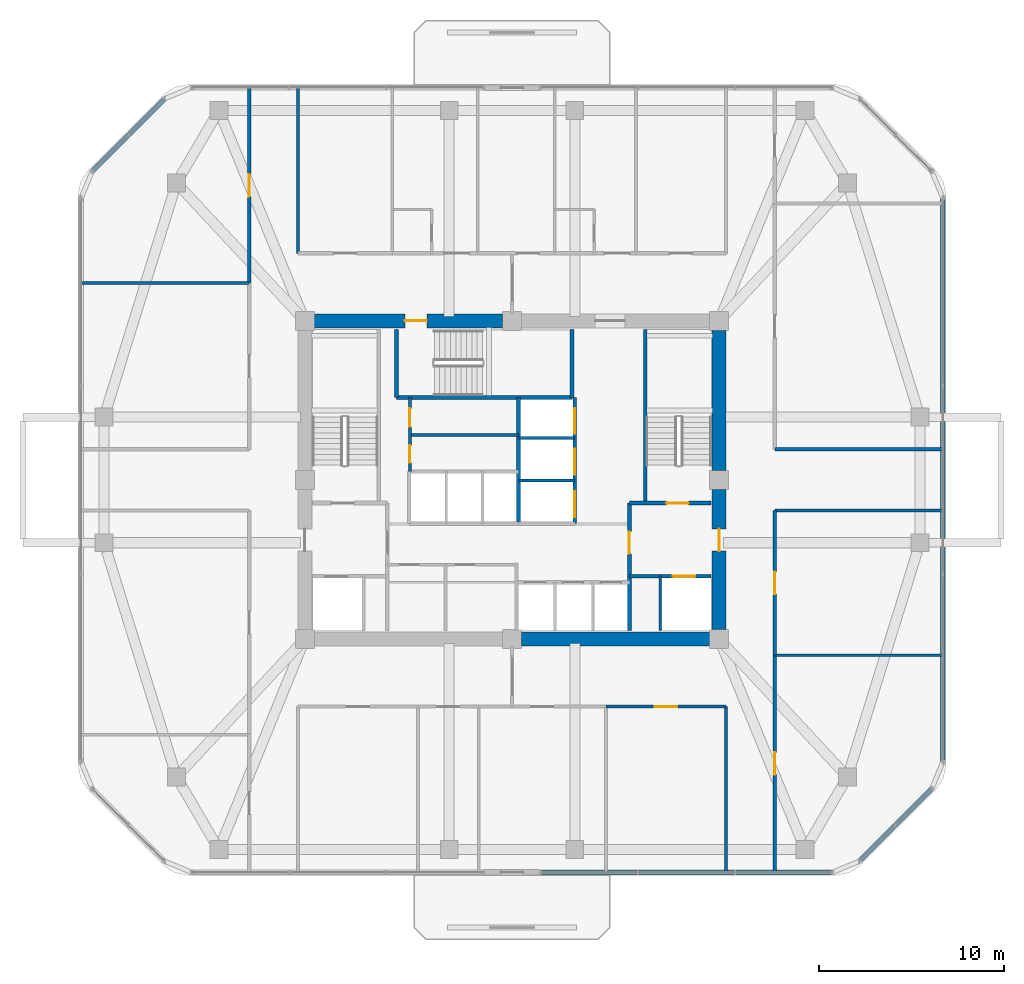
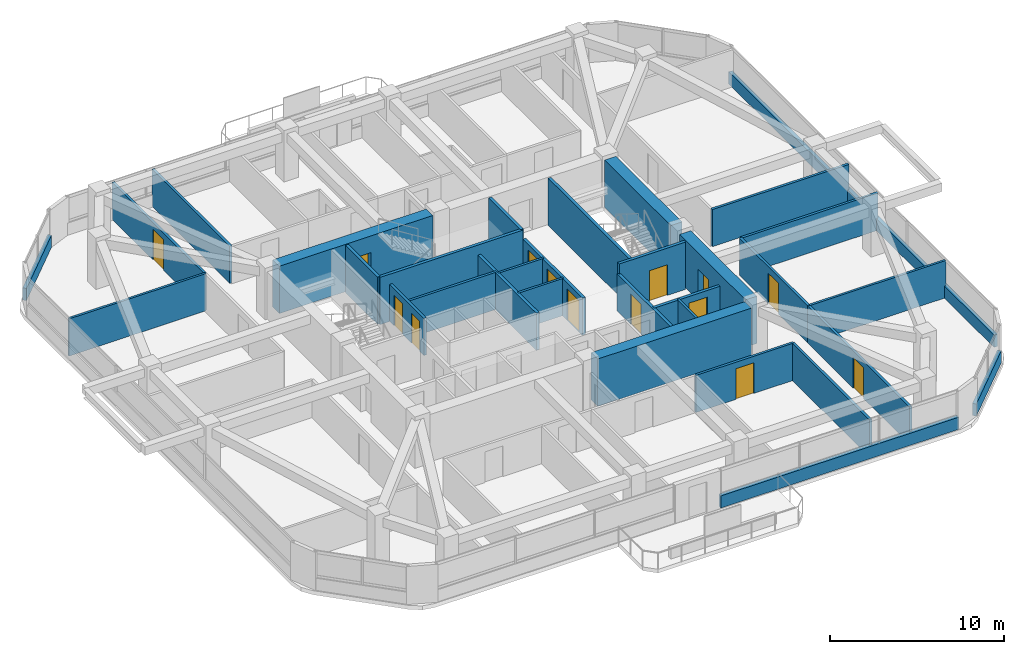
# One storey, part 8 of 12: 32 walls, 14 doors, 14 openings.
"""IFC4 building model written with IfcOpenShell, lengths in metres."""

from ifc_helpers import new_model, si_unit, derived_unit, direction, frame, frame_2d, origin, place, context, subcontext, project, spatial, rectangle, extrude, material, layer, layer_set, type_object, element, fill, save


model = new_model("IFC4")

# Units and contexts
model_context = context("Model", 3, precision=1e-05, world=origin(), true_north=direction((0.0, 1.0)))
body_context = subcontext(model_context, "Body", "Model", "MODEL_VIEW")
ifc_project = project(units=[si_unit("LENGTHUNIT", "METRE"), si_unit("AREAUNIT", "SQUARE_METRE"), si_unit("VOLUMEUNIT", "CUBIC_METRE"), si_unit("PLANEANGLEUNIT", "RADIAN"), si_unit("MASSUNIT", "GRAM", prefix="KILO"), derived_unit("THERMALTRANSMITTANCEUNIT", [(si_unit("POWERUNIT", "WATT"), 1), (si_unit("LENGTHUNIT", "METRE"), -2), (si_unit("THERMODYNAMICTEMPERATUREUNIT", "KELVIN"), -1)])], contexts=[model_context])

# Site, building, storey
site_placement = place(None, origin())
site = spatial("IfcSite", under=ifc_project, at=site_placement, CompositionType="ELEMENT")
building_placement = place(site_placement, origin())
building = spatial("IfcBuilding", under=site, at=building_placement, Name="Koralith Skygarden Medical Center", CompositionType="ELEMENT")
storey_placement = place(building_placement, frame((0.0, 0.0, 138.419921875)))
storey = spatial("IfcBuildingStorey", under=building, at=storey_placement, Name="L35", CompositionType="ELEMENT", Elevation=138.419921875)

# Walls
ifc_material_1 = material(Name="Gypsum Board Partition")
ifc_layer_1 = layer(ifc_material_1, 0.14990234375)
ifc_layer_set_1 = layer_set([ifc_layer_1], Name="Gypsum Board Partition")
wall_type_1 = type_object("IfcWallType", Name="Clinical Acoustic Partition 150", PredefinedType="PARTITIONING", material=ifc_layer_set_1)
for number, where, z_axis, x_axis, name in (
    (1, (22.7900390625, 36.548095703125, 0.0), (0.0, 0.0, 1.0), (-1.0, 0.0, 0.0), "L35 Clinical Acoustic Partition 150 W-PART-L35-WN-01"),
    (2, (51.2099609375, 16.424072265625, 0.0), (0.0, 0.0, 1.0), (1.0, 0.0, 0.0), "L35 Clinical Acoustic Partition 150 W-PART-L35-ES-01"),
):
    element("IfcWall", number, at=place(storey_placement, frame(where, z_axis=z_axis, x_axis=x_axis)), inside=storey, type_object=wall_type_1, Name=name, PredefinedType="PARTITIONING", context=body_context, shape_type="SweptSolid", body=[
        extrude(rectangle(XDim=9.073974609375, YDim=0.14990234375, at=frame_2d((4.537109375, 0.0))), origin(), (0.0, 0.0, 1.0), 2.610107421875),
    ])
ifc_layer_2 = layer(ifc_material_1, 0.1650390625)
ifc_layer_set_2 = layer_set([ifc_layer_2], Name="Gypsum Board Partition")
wall_type_2 = type_object("IfcWallType", Name="Clinical Corridor Partition 165", PredefinedType="PARTITIONING", material=ifc_layer_set_2)
wall_1_placement = place(storey_placement, frame((25.429931640625, 38.159912109375, 0.0), z_axis=(0.0, 0.0, 1.0), x_axis=(0.0, 1.0, 0.0)))
element("IfcWall", 3, at=wall_1_placement, inside=storey, type_object=wall_type_2, Name="L35 Clinical Corridor Partition 165 W-HCOR-L35-NW", PredefinedType="PARTITIONING", context=body_context, shape_type="SweptSolid", body=[
    extrude(rectangle(XDim=8.940185546875, YDim=0.1650390625, at=frame_2d((4.47021484375, 0.0))), origin(), (0.0, 0.0, 1.0), 2.610107421875),
])
wall_2_placement = place(storey_placement, frame((48.570068359375, 4.699951171875, 0.0), z_axis=(0.0, 0.0, 1.0), x_axis=(0.0, 1.0, 0.0)))
element("IfcWall", 4, at=wall_2_placement, inside=storey, type_object=wall_type_2, Name="L35 Clinical Corridor Partition 165 W-HCOR-L35-SE", PredefinedType="PARTITIONING", context=body_context, shape_type="SweptSolid", body=[
    extrude(rectangle(XDim=8.93994140625, YDim=0.1650390625, at=frame_2d((4.469970703125, 0.0))), origin(), (0.0, 0.0, 1.0), 2.610107421875),
])
for number, where, z_axis, x_axis, name in (
    (5, (51.2099609375, 24.239990234375, 0.0), (0.0, 0.0, 1.0), (1.0, 0.0, 0.0), "L35 Clinical Corridor Partition 165 W-HCOR-L35-EWS-E"),
    (6, (51.2099609375, 27.56005859375, 0.0), (0.0, 0.0, 1.0), (1.0, 0.0, 0.0), "L35 Clinical Corridor Partition 165 W-HCOR-L35-EWN-E"),
):
    element("IfcWall", number, at=place(storey_placement, frame(where, z_axis=z_axis, x_axis=x_axis)), inside=storey, type_object=wall_type_2, Name=name, PredefinedType="PARTITIONING", context=body_context, shape_type="SweptSolid", body=[
        extrude(rectangle(XDim=9.073974609375, YDim=0.1650390625, at=frame_2d((4.537109375, 0.0))), origin(), (0.0, 0.0, 1.0), 2.610107421875),
    ])

# Wall, opening, door
wall_3_placement = place(storey_placement, frame((42.0859375, 13.639892578125, 0.0), z_axis=(0.0, 0.0, 1.0), x_axis=(1.0, 0.0, 0.0)))
wall_3 = element("IfcWall", 7, at=wall_3_placement, inside=storey, type_object=wall_type_2, Name="L35 Clinical Corridor Partition 165 W-CORR-L35-S-04", PredefinedType="PARTITIONING", context=body_context, shape_type="SweptSolid", body=[
    extrude(rectangle(XDim=6.484130859375, YDim=0.1650390625, at=frame_2d((3.2421875, 0.0))), origin(), (0.0, 0.0, 1.0), 2.610107421875),
])
opening_1_placement = place(wall_3_placement, frame((2.64208984375, 0.0, 0.0)))
opening_1 = element("IfcOpeningElement", 8, at=opening_1_placement, cuts=wall_3, Name="Opening D-CLN", PredefinedType="OPENING", context=body_context, shape_type="SweptSolid", body=[
    extrude(rectangle(XDim=1.199951171875, YDim=2.14990234375, at=frame_2d((0.60009765625, 1.074951171875))), frame((0.0, 0.092529296875, 0.0), z_axis=(0.0, -1.0, 0.0), x_axis=(1.0, 0.0, 0.0)), (0.0, 0.0, 1.0), 0.18505859375),
])
ifc_material_2 = material(Name="Aluminium 6063-T6", Category="aluminium")
door_type_1 = type_object("IfcDoorType", Name="Clinical Corridor Door D-CLN 1200", OperationType="NOTDEFINED", PredefinedType="DOOR", material=ifc_material_2)
door_1_placement = place(opening_1_placement, frame((1.199951171875, 0.0, 0.0), z_axis=(0.0, 0.0, 1.0), x_axis=(-1.0, 0.0, 0.0)))
door_1 = element("IfcDoor", 9, at=door_1_placement, inside=storey, type_object=door_type_1, Name="L35 Procedure and Minor Treatment Room 09 Door", OperationType="SINGLE_SWING_RIGHT", OverallHeight=2.14990234375, OverallWidth=1.199951171875, PredefinedType="DOOR", context=body_context, shape_type="SweptSolid", body=[
    extrude(rectangle(XDim=1.199951171875, YDim=2.14990234375, at=frame_2d((0.60009765625, 1.074951171875))), frame((0.0, 0.02490234375, 0.0), z_axis=(0.0, -1.0, 0.0), x_axis=(1.0, 0.0, 0.0)), (0.0, 0.0, 1.0), 0.050048828125),
])
fill(opening_1, door_1)

wall_4_placement = place(storey_placement, frame((22.7900390625, 36.548095703125, 0.0), z_axis=(0.0, 0.0, 1.0), x_axis=(0.0, 1.0, 0.0)))
wall_4 = element("IfcWall", 10, at=wall_4_placement, inside=storey, type_object=wall_type_2, Name="L35 Clinical Corridor Partition 165 W-CORR-L35-WN-02", PredefinedType="PARTITIONING", context=body_context, shape_type="SweptSolid", body=[
    extrude(rectangle(XDim=10.552001953125, YDim=0.1650390625, at=frame_2d((5.27587890625, 0.0))), origin(), (0.0, 0.0, 1.0), 2.610107421875),
])
opening_2_placement = place(wall_4_placement, frame((4.676025390625, 0.0, 0.0)))
opening_2 = element("IfcOpeningElement", 11, at=opening_2_placement, cuts=wall_4, Name="Opening D-CLN", PredefinedType="OPENING", context=body_context, shape_type="SweptSolid", body=[
    extrude(rectangle(XDim=1.199951171875, YDim=2.14990234375, at=frame_2d((0.60009765625, 1.074951171875))), frame((0.0, 0.092529296875, 0.0), z_axis=(0.0, -1.0, 0.0), x_axis=(1.0, 0.0, 0.0)), (0.0, 0.0, 1.0), 0.18505859375),
])
door_2_placement = place(opening_2_placement, frame((1.199951171875, 0.0, 0.0), z_axis=(0.0, 0.0, 1.0), x_axis=(-1.0, 0.0, 0.0)))
door_2 = element("IfcDoor", 12, at=door_2_placement, inside=storey, type_object=door_type_1, Name="L35 Procedure and Minor Treatment Room 13 Door", OperationType="SINGLE_SWING_RIGHT", OverallHeight=2.14990234375, OverallWidth=1.199951171875, PredefinedType="DOOR", context=body_context, shape_type="SweptSolid", body=[
    extrude(rectangle(XDim=1.199951171875, YDim=2.14990234375, at=frame_2d((0.60009765625, 1.074951171875))), frame((0.0, 0.02490234375, 0.0), z_axis=(0.0, -1.0, 0.0), x_axis=(1.0, 0.0, 0.0)), (0.0, 0.0, 1.0), 0.050048828125),
])
fill(opening_2, door_2)

wall_5_placement = place(storey_placement, frame((51.2099609375, 4.699951171875, 0.0), z_axis=(0.0, 0.0, 1.0), x_axis=(0.0, 1.0, 0.0)))
wall_5 = element("IfcWall", 13, at=wall_5_placement, inside=storey, type_object=wall_type_2, Name="L35 Clinical Corridor Partition 165 W-CORR-L35-ES-01", PredefinedType="PARTITIONING", context=body_context, shape_type="SweptSolid", body=[
    extrude(rectangle(XDim=11.72412109375, YDim=0.1650390625, at=frame_2d((5.862060546875, 0.0))), origin(), (0.0, 0.0, 1.0), 2.610107421875),
])
opening_3_placement = place(wall_5_placement, frame((5.261962890625, 0.0, 0.0)))
opening_3 = element("IfcOpeningElement", 14, at=opening_3_placement, cuts=wall_5, Name="Opening D-CLN", PredefinedType="OPENING", context=body_context, shape_type="SweptSolid", body=[
    extrude(rectangle(XDim=1.199951171875, YDim=2.14990234375, at=frame_2d((0.60009765625, 1.074951171875))), frame((0.0, 0.092529296875, 0.0), z_axis=(0.0, -1.0, 0.0), x_axis=(1.0, 0.0, 0.0)), (0.0, 0.0, 1.0), 0.18505859375),
])
door_3_placement = place(opening_3_placement, origin())
door_3 = element("IfcDoor", 15, at=door_3_placement, inside=storey, type_object=door_type_1, Name="L35 Wound Care Treatment Room 14 Door", OperationType="SINGLE_SWING_LEFT", OverallHeight=2.14990234375, OverallWidth=1.199951171875, PredefinedType="DOOR", context=body_context, shape_type="SweptSolid", body=[
    extrude(rectangle(XDim=1.199951171875, YDim=2.14990234375, at=frame_2d((0.60009765625, 1.074951171875))), frame((0.0, 0.02490234375, 0.0), z_axis=(0.0, -1.0, 0.0), x_axis=(1.0, 0.0, 0.0)), (0.0, 0.0, 1.0), 0.050048828125),
])
fill(opening_3, door_3)

wall_6_placement = place(storey_placement, frame((51.2099609375, 16.424072265625, 0.0), z_axis=(0.0, 0.0, 1.0), x_axis=(0.0, 1.0, 0.0)))
wall_6 = element("IfcWall", 16, at=wall_6_placement, inside=storey, type_object=wall_type_2, Name="L35 Clinical Corridor Partition 165 W-CORR-L35-ES-02", PredefinedType="PARTITIONING", context=body_context, shape_type="SweptSolid", body=[
    extrude(rectangle(XDim=7.81591796875, YDim=0.1650390625, at=frame_2d((3.907958984375, 0.0))), origin(), (0.0, 0.0, 1.0), 2.610107421875),
])
opening_4_placement = place(wall_6_placement, frame((3.30810546875, 0.0, 0.0)))
opening_4 = element("IfcOpeningElement", 17, at=opening_4_placement, cuts=wall_6, Name="Opening D-CLN", PredefinedType="OPENING", context=body_context, shape_type="SweptSolid", body=[
    extrude(rectangle(XDim=1.199951171875, YDim=2.14990234375, at=frame_2d((0.60009765625, 1.074951171875))), frame((0.0, 0.092529296875, 0.0), z_axis=(0.0, -1.0, 0.0), x_axis=(1.0, 0.0, 0.0)), (0.0, 0.0, 1.0), 0.18505859375),
])
door_4_placement = place(opening_4_placement, origin())
door_4 = element("IfcDoor", 18, at=door_4_placement, inside=storey, type_object=door_type_1, Name="L35 Acute Nurse Station 15 Door", OperationType="SINGLE_SWING_RIGHT", OverallHeight=2.14990234375, OverallWidth=1.199951171875, PredefinedType="DOOR", context=body_context, shape_type="SweptSolid", body=[
    extrude(rectangle(XDim=1.199951171875, YDim=2.14990234375, at=frame_2d((0.60009765625, 1.074951171875))), frame((0.0, 0.02490234375, 0.0), z_axis=(0.0, -1.0, 0.0), x_axis=(1.0, 0.0, 0.0)), (0.0, 0.0, 1.0), 0.050048828125),
])
fill(opening_4, door_4)

ifc_layer_3 = layer(ifc_material_1, 0.199951171875)
ifc_layer_set_3 = layer_set([ifc_layer_3], Name="Gypsum Board Partition")
wall_type_3 = type_object("IfcWallType", Name="Fire Shaft Wall 200", PredefinedType="SOLIDWALL", material=ifc_layer_set_3)
wall_7_placement = place(storey_placement, frame((43.35009765625, 20.699951171875, 0.0), z_axis=(0.0, 0.0, 1.0), x_axis=(1.0, 0.0, 0.0)))
wall_7 = element("IfcWall", 19, at=wall_7_placement, inside=storey, type_object=wall_type_3, Name="L35 Fire Shaft Wall 200 W-CORE-L35-FF2-N", PredefinedType="SOLIDWALL", context=body_context, shape_type="SweptSolid", body=[
    extrude(rectangle(XDim=4.39990234375, YDim=0.199951171875, at=frame_2d((2.199951171875, 0.0))), origin(), (0.0, 0.0, 1.0), 2.610107421875),
])
opening_5_placement = place(wall_7_placement, frame((2.35009765625, 0.0, 0.0)))
opening_5 = element("IfcOpeningElement", 20, at=opening_5_placement, cuts=wall_7, Name="Opening LD-FF", PredefinedType="OPENING", context=body_context, shape_type="SweptSolid", body=[
    extrude(rectangle(XDim=1.199951171875, YDim=2.14990234375, at=frame_2d((0.60009765625, 1.074951171875))), frame((0.0, 0.10986328125, 0.0), z_axis=(0.0, -1.0, 0.0), x_axis=(1.0, 0.0, 0.0)), (0.0, 0.0, 1.0), 0.219970703125),
])
ifc_material_3 = material(Name="Steel ASTM A500 Grade C", Category="steel")
door_type_2 = type_object("IfcDoorType", Name="Fire Lift Sliding Landing Door LD-FF 1200", OperationType="NOTDEFINED", PredefinedType="DOOR", material=ifc_material_3)
door_5_placement = place(opening_5_placement, origin())
door_5 = element("IfcDoor", 21, at=door_5_placement, inside=storey, type_object=door_type_2, Name="L35 Fire Service Elevator FF2 Landing Door", OperationType="SLIDING_TO_RIGHT", OverallHeight=2.14990234375, OverallWidth=1.199951171875, PredefinedType="DOOR", context=body_context, shape_type="SweptSolid", body=[
    extrude(rectangle(XDim=1.199951171875, YDim=2.14990234375, at=frame_2d((0.60009765625, 1.074951171875))), frame((0.0, 0.02490234375, 0.0), z_axis=(0.0, -1.0, 0.0), x_axis=(1.0, 0.0, 0.0)), (0.0, 0.0, 1.0), 0.050048828125),
])
fill(opening_5, door_5)

wall_8_placement = place(storey_placement, frame((43.35009765625, 17.75, 0.0), z_axis=(0.0, 0.0, 1.0), x_axis=(0.0, 1.0, 0.0)))
wall_8 = element("IfcWall", 22, at=wall_8_placement, inside=storey, type_object=wall_type_3, Name="L35 Fire Shaft Wall 200 W-CORE-L35-FSAEE-W", PredefinedType="SOLIDWALL", context=body_context, shape_type="SweptSolid", body=[
    extrude(rectangle(XDim=6.89990234375, YDim=0.199951171875, at=frame_2d((3.449951171875, 0.0))), origin(), (0.0, 0.0, 1.0), 2.610107421875),
])
opening_6_placement = place(wall_8_placement, frame((4.14990234375, 0.0, 0.0)))
opening_6 = element("IfcOpeningElement", 23, at=opening_6_placement, cuts=wall_8, Name="Opening D-ST60", PredefinedType="OPENING", context=body_context, shape_type="SweptSolid", body=[
    extrude(rectangle(XDim=1.199951171875, YDim=2.14990234375, at=frame_2d((0.60009765625, 1.074951171875))), frame((0.0, 0.10986328125, 0.0), z_axis=(0.0, -1.0, 0.0), x_axis=(1.0, 0.0, 0.0)), (0.0, 0.0, 1.0), 0.219970703125),
])
door_type_3 = type_object("IfcDoorType", Name="Smokeproof Stair Fire Door FD60S 1200", OperationType="NOTDEFINED", PredefinedType="DOOR", material=ifc_material_3)
door_6_placement = place(opening_6_placement, frame((1.199951171875, 0.0, 0.0), z_axis=(0.0, 0.0, 1.0), x_axis=(-1.0, 0.0, 0.0)))
door_6 = element("IfcDoor", 24, at=door_6_placement, inside=storey, type_object=door_type_3, Name="L35 East Firefighting Lobby Inner Fire Door", OperationType="SINGLE_SWING_RIGHT", OverallHeight=2.14990234375, OverallWidth=1.199951171875, PredefinedType="DOOR", context=body_context, shape_type="SweptSolid", body=[
    extrude(rectangle(XDim=1.199951171875, YDim=2.14990234375, at=frame_2d((0.60009765625, 1.074951171875))), frame((0.0, 0.02490234375, 0.0), z_axis=(0.0, -1.0, 0.0), x_axis=(1.0, 0.0, 0.0)), (0.0, 0.0, 1.0), 0.050048828125),
])
fill(opening_6, door_6)

# Wall
wall_9_placement = place(storey_placement, frame((37.35009765625, 23.5400390625, 0.0), z_axis=(0.0, 0.0, 1.0), x_axis=(0.0, 1.0, 0.0)))
element("IfcWall", 25, at=wall_9_placement, inside=storey, type_object=wall_type_3, Name="L35 Fire Shaft Wall 200 W-CORE-L35-SV-W", PredefinedType="SOLIDWALL", context=body_context, shape_type="SweptSolid", body=[
    extrude(rectangle(XDim=6.820068359375, YDim=0.199951171875, at=frame_2d((3.41015625, 0.0))), origin(), (0.0, 0.0, 1.0), 2.610107421875),
])

# Wall, openings, doors
wall_10_placement = place(storey_placement, frame((40.39990234375, 23.5400390625, 0.0), z_axis=(0.0, 0.0, 1.0), x_axis=(0.0, 1.0, 0.0)))
wall_10 = element("IfcWall", 26, at=wall_10_placement, inside=storey, type_object=wall_type_3, Name="L35 Fire Shaft Wall 200 W-CORE-L35-SV-E", PredefinedType="SOLIDWALL", context=body_context, shape_type="SweptSolid", body=[
    extrude(rectangle(XDim=6.820068359375, YDim=0.199951171875, at=frame_2d((3.41015625, 0.0))), origin(), (0.0, 0.0, 1.0), 2.610107421875),
])
opening_7_placement = place(wall_10_placement, frame((0.35009765625, 0.0, 0.0)))
opening_7 = element("IfcOpeningElement", 27, at=opening_7_placement, cuts=wall_10, Name="Opening LD-SV", PredefinedType="OPENING", context=body_context, shape_type="SweptSolid", body=[
    extrude(rectangle(XDim=1.39990234375, YDim=2.199951171875, at=frame_2d((0.699951171875, 1.10009765625))), frame((0.0, 0.10986328125, 0.0), z_axis=(0.0, -1.0, 0.0), x_axis=(1.0, 0.0, 0.0)), (0.0, 0.0, 1.0), 0.219970703125),
])
opening_8_placement = place(wall_10_placement, frame((2.64990234375, 0.0, 0.0)))
opening_8 = element("IfcOpeningElement", 28, at=opening_8_placement, cuts=wall_10, Name="Opening LD-SV", PredefinedType="OPENING", context=body_context, shape_type="SweptSolid", body=[
    extrude(rectangle(XDim=1.39990234375, YDim=2.199951171875, at=frame_2d((0.699951171875, 1.10009765625))), frame((0.0, 0.10986328125, 0.0), z_axis=(0.0, -1.0, 0.0), x_axis=(1.0, 0.0, 0.0)), (0.0, 0.0, 1.0), 0.219970703125),
])
opening_9_placement = place(wall_10_placement, frame((4.85009765625, 0.0, 0.0)))
opening_9 = element("IfcOpeningElement", 29, at=opening_9_placement, cuts=wall_10, Name="Opening LD-SV", PredefinedType="OPENING", context=body_context, shape_type="SweptSolid", body=[
    extrude(rectangle(XDim=1.39990234375, YDim=2.199951171875, at=frame_2d((0.699951171875, 1.10009765625))), frame((0.0, 0.10986328125, 0.0), z_axis=(0.0, -1.0, 0.0), x_axis=(1.0, 0.0, 0.0)), (0.0, 0.0, 1.0), 0.219970703125),
])
door_type_4 = type_object("IfcDoorType", Name="Bed Lift Sliding Landing Door LD-SV 1400", OperationType="NOTDEFINED", PredefinedType="DOOR", material=ifc_material_3)
door_7_placement = place(opening_7_placement, origin())
door_7 = element("IfcDoor", 30, at=door_7_placement, inside=storey, type_object=door_type_4, Name="L35 Bed Elevator BD1 Landing Door", OperationType="SLIDING_TO_LEFT", OverallHeight=2.199951171875, OverallWidth=1.39990234375, PredefinedType="DOOR", context=body_context, shape_type="SweptSolid", body=[
    extrude(rectangle(XDim=1.39990234375, YDim=2.199951171875, at=frame_2d((0.699951171875, 1.10009765625))), frame((0.0, 0.02490234375, 0.0), z_axis=(0.0, -1.0, 0.0), x_axis=(1.0, 0.0, 0.0)), (0.0, 0.0, 1.0), 0.050048828125),
])
fill(opening_7, door_7)
door_8_placement = place(opening_8_placement, origin())
door_8 = element("IfcDoor", 31, at=door_8_placement, inside=storey, type_object=door_type_4, Name="L35 Service Elevator BD2 Landing Door", OperationType="SLIDING_TO_LEFT", OverallHeight=2.199951171875, OverallWidth=1.39990234375, PredefinedType="DOOR", context=body_context, shape_type="SweptSolid", body=[
    extrude(rectangle(XDim=1.39990234375, YDim=2.199951171875, at=frame_2d((0.699951171875, 1.10009765625))), frame((0.0, 0.02490234375, 0.0), z_axis=(0.0, -1.0, 0.0), x_axis=(1.0, 0.0, 0.0)), (0.0, 0.0, 1.0), 0.050048828125),
])
fill(opening_8, door_8)
door_9_placement = place(opening_9_placement, origin())
door_9 = element("IfcDoor", 32, at=door_9_placement, inside=storey, type_object=door_type_4, Name="L35 Trauma Elevator TR1 Landing Door", OperationType="SLIDING_TO_RIGHT", OverallHeight=2.199951171875, OverallWidth=1.39990234375, PredefinedType="DOOR", context=body_context, shape_type="SweptSolid", body=[
    extrude(rectangle(XDim=1.39990234375, YDim=2.199951171875, at=frame_2d((0.699951171875, 1.10009765625))), frame((0.0, 0.02490234375, 0.0), z_axis=(0.0, -1.0, 0.0), x_axis=(1.0, 0.0, 0.0)), (0.0, 0.0, 1.0), 0.050048828125),
])
fill(opening_9, door_9)

# Walls
ifc_material_4 = material(Name="Warm Oolitic Limestone Cladding", Category="masonry")
ifc_layer_4 = layer(ifc_material_4, 0.239990234375)
ifc_layer_set_4 = layer_set([ifc_layer_4], Name="Warm Oolitic Limestone Cladding")
wall_type_4 = type_object("IfcWallType", Name="Limestone Spandrel Sill Backup Wall 240", PredefinedType="SOLIDWALL", material=ifc_layer_set_4)
wall_11_placement = place(storey_placement, frame((38.5390625, 4.679931640625, 0.0), z_axis=(0.0, 0.0, 1.0), x_axis=(1.0, 0.0, 0.0)))
element("IfcWall", 33, at=wall_11_placement, inside=storey, type_object=wall_type_4, Name="L35 Sill Spandrel S-R", PredefinedType="SOLIDWALL", context=body_context, shape_type="SweptSolid", body=[
    extrude(rectangle(XDim=15.7900390625, YDim=0.239990234375, at=frame_2d((7.89501953125, 0.0))), origin(), (0.0, 0.0, 1.0), 0.85009765625),
])
wall_12_placement = place(storey_placement, frame((55.780029296875, 5.281005859375, 0.0), z_axis=(0.0, 0.0, 1.0), x_axis=(0.707084777957, 0.707128783731, 0.0)))
element("IfcWall", 34, at=wall_12_placement, inside=storey, type_object=wall_type_4, Name="L35 Sill Spandrel SE", PredefinedType="SOLIDWALL", context=body_context, shape_type="SweptSolid", body=[
    extrude(rectangle(XDim=5.5478515625, YDim=0.239990234375, at=frame_2d((2.77392578125, 0.0))), origin(), (0.0, 0.0, 1.0), 0.85009765625),
])
wall_13_placement = place(storey_placement, frame((60.303955078125, 10.655029296875, 0.0), z_axis=(0.0, 0.0, 1.0), x_axis=(0.0, 1.0, 0.0)))
element("IfcWall", 35, at=wall_13_placement, inside=storey, type_object=wall_type_4, Name="L35 Sill Spandrel E", PredefinedType="SOLIDWALL", context=body_context, shape_type="SweptSolid", body=[
    extrude(rectangle(XDim=30.489990234375, YDim=0.239990234375, at=frame_2d((15.2451171875, 0.0))), origin(), (0.0, 0.0, 1.0), 0.85009765625),
])
wall_14_placement = place(storey_placement, frame((18.219970703125, 46.51904296875, 0.0), z_axis=(0.0, 0.0, 1.0), x_axis=(-0.707084777957, -0.707128783731, 0.0)))
element("IfcWall", 36, at=wall_14_placement, inside=storey, type_object=wall_type_4, Name="L35 Sill Spandrel NW", PredefinedType="SOLIDWALL", context=body_context, shape_type="SweptSolid", body=[
    extrude(rectangle(XDim=5.5478515625, YDim=0.239990234375, at=frame_2d((2.77392578125, 0.0))), origin(), (0.0, 0.0, 1.0), 0.85009765625),
])
ifc_material_5 = material(Name="Concrete C70/85", Category="concrete")
ifc_layer_5 = layer(ifc_material_5, 0.75)
ifc_layer_set_5 = layer_set([ifc_layer_5], Name="Concrete C70/85")
wall_type_5 = type_object("IfcWallType", Name="Mid Core Shear Wall 750", PredefinedType="SHEAR", material=ifc_layer_set_5)
wall_15_placement = place(storey_placement, frame((37.5048828125, 17.300048828125, 0.0), z_axis=(0.0, 0.0, 1.0), x_axis=(1.0, 0.0, 0.0)))
element("IfcWall", 37, at=wall_15_placement, inside=storey, type_object=wall_type_5, Name="L35 Core Shear Wall Segment 2", PredefinedType="SHEAR", context=body_context, shape_type="SweptSolid", body=[
    extrude(rectangle(XDim=10.190185546875, YDim=0.75, at=frame_2d((5.09521484375, 0.0))), origin(), (0.0, 0.0, 1.0), 3.320068359375),
])

# Wall, opening, door
wall_16_placement = place(storey_placement, frame((48.199951171875, 17.804931640625, 0.0), z_axis=(0.0, 0.0, 1.0), x_axis=(0.0, 1.0, 0.0)))
wall_16 = element("IfcWall", 38, at=wall_16_placement, inside=storey, type_object=wall_type_5, Name="L35 Core Shear Wall Segment 3", PredefinedType="SHEAR", context=body_context, shape_type="SweptSolid", body=[
    extrude(rectangle(XDim=7.590087890625, YDim=0.75, at=frame_2d((3.794921875, 0.0))), origin(), (0.0, 0.0, 1.0), 3.320068359375),
])
opening_10_placement = place(wall_16_placement, frame((4.2451171875, 0.0, 0.0)))
opening_10 = element("IfcOpeningElement", 39, at=opening_10_placement, cuts=wall_16, Name="Opening D-ST60", PredefinedType="OPENING", context=body_context, shape_type="SweptSolid", body=[
    extrude(rectangle(XDim=1.199951171875, YDim=2.14990234375, at=frame_2d((0.60009765625, 1.074951171875))), frame((0.0, 0.385009765625, 0.0), z_axis=(0.0, -1.0, 0.0), x_axis=(1.0, 0.0, 0.0)), (0.0, 0.0, 1.0), 0.77001953125),
])
door_10_placement = place(opening_10_placement, frame((1.199951171875, 0.0, 0.0), z_axis=(0.0, 0.0, 1.0), x_axis=(-1.0, 0.0, 0.0)))
door_10 = element("IfcDoor", 40, at=door_10_placement, inside=storey, type_object=door_type_3, Name="L35 East Corridor to Firefighting Lobby Door", OperationType="SINGLE_SWING_RIGHT", OverallHeight=2.14990234375, OverallWidth=1.199951171875, PredefinedType="DOOR", context=body_context, shape_type="SweptSolid", body=[
    extrude(rectangle(XDim=1.199951171875, YDim=2.14990234375, at=frame_2d((0.60009765625, 1.074951171875))), frame((0.0, 0.02490234375, 0.0), z_axis=(0.0, -1.0, 0.0), x_axis=(1.0, 0.0, 0.0)), (0.0, 0.0, 1.0), 0.050048828125),
])
fill(opening_10, door_10)

# Wall
wall_17_placement = place(storey_placement, frame((48.199951171875, 26.405029296875, 0.0), z_axis=(0.0, 0.0, 1.0), x_axis=(0.0, 1.0, 0.0)))
element("IfcWall", 41, at=wall_17_placement, inside=storey, type_object=wall_type_5, Name="L35 Core Shear Wall Segment 4", PredefinedType="SHEAR", context=body_context, shape_type="SweptSolid", body=[
    extrude(rectangle(XDim=7.590087890625, YDim=0.75, at=frame_2d((3.794921875, 0.0))), origin(), (0.0, 0.0, 1.0), 3.320068359375),
])

# Wall, opening, door
wall_18_placement = place(storey_placement, frame((36.4951171875, 34.5, 0.0), z_axis=(0.0, 0.0, 1.0), x_axis=(-1.0, 0.0, 0.0)))
wall_18 = element("IfcWall", 42, at=wall_18_placement, inside=storey, type_object=wall_type_5, Name="L35 Core Shear Wall Segment 6", PredefinedType="SHEAR", context=body_context, shape_type="SweptSolid", body=[
    extrude(rectangle(XDim=10.190185546875, YDim=0.75, at=frame_2d((5.09521484375, 0.0))), origin(), (0.0, 0.0, 1.0), 3.320068359375),
])
opening_11_placement = place(wall_18_placement, frame((4.094970703125, 0.0, 0.0)))
opening_11 = element("IfcOpeningElement", 43, at=opening_11_placement, cuts=wall_18, Name="Opening D-ST60", PredefinedType="OPENING", context=body_context, shape_type="SweptSolid", body=[
    extrude(rectangle(XDim=1.199951171875, YDim=2.14990234375, at=frame_2d((0.60009765625, 1.074951171875))), frame((0.0, 0.385009765625, 0.0), z_axis=(0.0, -1.0, 0.0), x_axis=(1.0, 0.0, 0.0)), (0.0, 0.0, 1.0), 0.77001953125),
])
door_11_placement = place(opening_11_placement, frame((1.199951171875, 0.0, 0.0), z_axis=(0.0, 0.0, 1.0), x_axis=(-1.0, 0.0, 0.0)))
door_11 = element("IfcDoor", 44, at=door_11_placement, inside=storey, type_object=door_type_3, Name="L35 Exit Stair ST3 Fire Door", OperationType="SINGLE_SWING_LEFT", OverallHeight=2.14990234375, OverallWidth=1.199951171875, PredefinedType="DOOR", context=body_context, shape_type="SweptSolid", body=[
    extrude(rectangle(XDim=1.199951171875, YDim=2.14990234375, at=frame_2d((0.60009765625, 1.074951171875))), frame((0.0, 0.02490234375, 0.0), z_axis=(0.0, -1.0, 0.0), x_axis=(1.0, 0.0, 0.0)), (0.0, 0.0, 1.0), 0.050048828125),
])
fill(opening_11, door_11)

# Wall, openings, doors
ifc_layer_6 = layer(ifc_material_1, 0.1650390625)
ifc_layer_set_6 = layer_set([ifc_layer_6], Name="Gypsum Board Partition")
wall_type_6 = type_object("IfcWallType", Name="Plumbing Wet Wall 165", PredefinedType="PLUMBINGWALL", material=ifc_layer_set_6)
wall_19_placement = place(storey_placement, frame((31.47998046875, 26.320068359375, 0.0), z_axis=(0.0, 0.0, 1.0), x_axis=(0.0, 1.0, 0.0)))
wall_19 = element("IfcWall", 45, at=wall_19_placement, inside=storey, type_object=wall_type_6, Name="L35 Plumbing Wet Wall 165 W-CORE-L35-FLEX-W", PredefinedType="PLUMBINGWALL", context=body_context, shape_type="SweptSolid", body=[
    extrude(rectangle(XDim=4.0400390625, YDim=0.1650390625, at=frame_2d((2.02001953125, 0.0))), origin(), (0.0, 0.0, 1.0), 2.610107421875),
])
opening_12_placement = place(wall_19_placement, frame((0.5, 0.0, 0.0)))
opening_12 = element("IfcOpeningElement", 46, at=opening_12_placement, cuts=wall_19, Name="Opening D-WC", PredefinedType="OPENING", context=body_context, shape_type="SweptSolid", body=[
    extrude(rectangle(XDim=0.949951171875, YDim=2.10009765625, at=frame_2d((0.47509765625, 1.050048828125))), frame((0.0, 0.092529296875, 0.0), z_axis=(0.0, -1.0, 0.0), x_axis=(1.0, 0.0, 0.0)), (0.0, 0.0, 1.0), 0.18505859375),
])
opening_13_placement = place(wall_19_placement, frame((2.449951171875, 0.0, 0.0)))
opening_13 = element("IfcOpeningElement", 47, at=opening_13_placement, cuts=wall_19, Name="Opening D-SUP", PredefinedType="OPENING", context=body_context, shape_type="SweptSolid", body=[
    extrude(rectangle(XDim=1.0, YDim=2.14990234375, at=frame_2d((0.5, 1.074951171875))), frame((0.0, 0.092529296875, 0.0), z_axis=(0.0, -1.0, 0.0), x_axis=(1.0, 0.0, 0.0)), (0.0, 0.0, 1.0), 0.18505859375),
])
door_type_5 = type_object("IfcDoorType", Name="Accessible Toilet Door D-WC 950", OperationType="NOTDEFINED", PredefinedType="DOOR", material=ifc_material_2)
door_12_placement = place(opening_12_placement, frame((0.949951171875, 0.0, 0.0), z_axis=(0.0, 0.0, 1.0), x_axis=(-1.0, 0.0, 0.0)))
door_12 = element("IfcDoor", 48, at=door_12_placement, inside=storey, type_object=door_type_5, Name="L35 Core Accessible WC Door", OperationType="SINGLE_SWING_LEFT", OverallHeight=2.10009765625, OverallWidth=0.949951171875, PredefinedType="DOOR", context=body_context, shape_type="SweptSolid", body=[
    extrude(rectangle(XDim=0.949951171875, YDim=2.10009765625, at=frame_2d((0.47509765625, 1.050048828125))), frame((0.0, 0.02490234375, 0.0), z_axis=(0.0, -1.0, 0.0), x_axis=(1.0, 0.0, 0.0)), (0.0, 0.0, 1.0), 0.050048828125),
])
fill(opening_12, door_12)
door_type_6 = type_object("IfcDoorType", Name="Clinical Support Door D-SUP 1000", OperationType="NOTDEFINED", PredefinedType="DOOR", material=ifc_material_2)
door_13_placement = place(opening_13_placement, frame((1.0, 0.0, 0.0), z_axis=(0.0, 0.0, 1.0), x_axis=(-1.0, 0.0, 0.0)))
door_13 = element("IfcDoor", 49, at=door_13_placement, inside=storey, type_object=door_type_6, Name="L35 Core Clean Utility Door", OperationType="SINGLE_SWING_RIGHT", OverallHeight=2.14990234375, OverallWidth=1.0, PredefinedType="DOOR", context=body_context, shape_type="SweptSolid", body=[
    extrude(rectangle(XDim=1.0, YDim=2.14990234375, at=frame_2d((0.5, 1.074951171875))), frame((0.0, 0.02490234375, 0.0), z_axis=(0.0, -1.0, 0.0), x_axis=(1.0, 0.0, 0.0)), (0.0, 0.0, 1.0), 0.050048828125),
])
fill(opening_13, door_13)

# Walls
wall_20_placement = place(storey_placement, frame((31.47998046875, 28.340087890625, 0.0), z_axis=(0.0, 0.0, 1.0), x_axis=(1.0, 0.0, 0.0)))
element("IfcWall", 50, at=wall_20_placement, inside=storey, type_object=wall_type_6, Name="L35 Plumbing Wet Wall 165 W-CORE-L35-FLEX-H0", PredefinedType="PLUMBINGWALL", context=body_context, shape_type="SweptSolid", body=[
    extrude(rectangle(XDim=5.8701171875, YDim=0.1650390625, at=frame_2d((2.93505859375, 0.0))), origin(), (0.0, 0.0, 1.0), 2.610107421875),
])
ifc_layer_7 = layer(ifc_material_1, 0.14990234375)
ifc_layer_set_7 = layer_set([ifc_layer_7], Name="Gypsum Board Partition")
wall_type_7 = type_object("IfcWallType", Name="Shaft Partition Wall 150", PredefinedType="PARTITIONING", material=ifc_layer_set_7)
wall_21_placement = place(storey_placement, frame((45.02001953125, 17.75, 0.0), z_axis=(0.0, 0.0, 1.0), x_axis=(0.0, 1.0, 0.0)))
element("IfcWall", 51, at=wall_21_placement, inside=storey, type_object=wall_type_7, Name="L35 Shaft Partition Wall 150 W-CORE-L35-RSRE-DIV", PredefinedType="PARTITIONING", context=body_context, shape_type="SweptSolid", body=[
    extrude(rectangle(XDim=2.949951171875, YDim=0.14990234375, at=frame_2d((1.47509765625, 0.0))), origin(), (0.0, 0.0, 1.0), 2.610107421875),
])
for number, where, z_axis, x_axis, name in (
    (52, (37.3701171875, 25.8701171875, 0.0), (0.0, 0.0, 1.0), (1.0, 0.0, 0.0), "L35 Shaft Partition Wall 150 W-CORE-L35-SV-D1"),
    (53, (37.3701171875, 28.169921875, 0.0), (0.0, 0.0, 1.0), (1.0, 0.0, 0.0), "L35 Shaft Partition Wall 150 W-CORE-L35-SV-D2"),
):
    element("IfcWall", number, at=place(storey_placement, frame(where, z_axis=z_axis, x_axis=x_axis)), inside=storey, type_object=wall_type_7, Name=name, PredefinedType="PARTITIONING", context=body_context, shape_type="SweptSolid", body=[
        extrude(rectangle(XDim=3.009765625, YDim=0.14990234375, at=frame_2d((1.5048828125, 0.0))), origin(), (0.0, 0.0, 1.0), 2.610107421875),
    ])
ifc_material_6 = material(Name="Concrete C45/55", Category="concrete")
ifc_layer_8 = layer(ifc_material_6, 0.199951171875)
ifc_layer_set_8 = layer_set([ifc_layer_8], Name="Concrete C45/55")
wall_type_8 = type_object("IfcWallType", Name="Structural Stair Shaft Wall 200", PredefinedType="SHEAR", material=ifc_layer_set_8)
wall_22_placement = place(storey_placement, frame((44.199951171875, 24.64990234375, 0.0), z_axis=(0.0, 0.0, 1.0), x_axis=(0.0, 1.0, 0.0)))
element("IfcWall", 54, at=wall_22_placement, inside=storey, type_object=wall_type_8, Name="L35 Structural Stair Shaft Wall 200 W-CORE-L35-ST2-W", PredefinedType="SHEAR", context=body_context, shape_type="SweptSolid", body=[
    extrude(rectangle(XDim=9.400146484375, YDim=0.199951171875, at=frame_2d((4.7001953125, 0.0))), origin(), (0.0, 0.0, 1.0), 3.320068359375),
])

# Wall, opening, door
wall_23_placement = place(storey_placement, frame((43.35009765625, 24.64990234375, 0.0), z_axis=(0.0, 0.0, 1.0), x_axis=(1.0, 0.0, 0.0)))
wall_23 = element("IfcWall", 55, at=wall_23_placement, inside=storey, type_object=wall_type_8, Name="L35 Structural Stair Shaft Wall 200 W-CORE-L35-ST2-S", PredefinedType="SHEAR", context=body_context, shape_type="SweptSolid", body=[
    extrude(rectangle(XDim=4.39990234375, YDim=0.199951171875, at=frame_2d((2.199951171875, 0.0))), origin(), (0.0, 0.0, 1.0), 3.320068359375),
])
opening_14_placement = place(wall_23_placement, frame((2.0, 0.0, 0.0)))
opening_14 = element("IfcOpeningElement", 56, at=opening_14_placement, cuts=wall_23, Name="Opening D-ST60", PredefinedType="OPENING", context=body_context, shape_type="SweptSolid", body=[
    extrude(rectangle(XDim=1.199951171875, YDim=2.14990234375, at=frame_2d((0.60009765625, 1.074951171875))), frame((0.0, 0.10986328125, 0.0), z_axis=(0.0, -1.0, 0.0), x_axis=(1.0, 0.0, 0.0)), (0.0, 0.0, 1.0), 0.219970703125),
])
door_14_placement = place(opening_14_placement, origin())
door_14 = element("IfcDoor", 57, at=door_14_placement, inside=storey, type_object=door_type_3, Name="L35 Exit Stair ST2 Fire Door", OperationType="SINGLE_SWING_RIGHT", OverallHeight=2.14990234375, OverallWidth=1.199951171875, PredefinedType="DOOR", context=body_context, shape_type="SweptSolid", body=[
    extrude(rectangle(XDim=1.199951171875, YDim=2.14990234375, at=frame_2d((0.60009765625, 1.074951171875))), frame((0.0, 0.02490234375, 0.0), z_axis=(0.0, -1.0, 0.0), x_axis=(1.0, 0.0, 0.0)), (0.0, 0.0, 1.0), 0.050048828125),
])
fill(opening_14, door_14)

# Walls
wall_24_placement = place(storey_placement, frame((30.75, 30.360107421875, 0.0), z_axis=(0.0, 0.0, 1.0), x_axis=(1.0, 0.0, 0.0)))
element("IfcWall", 58, at=wall_24_placement, inside=storey, type_object=wall_type_8, Name="L35 Structural Stair Shaft Wall 200 W-CORE-L35-ST3-S", PredefinedType="SHEAR", context=body_context, shape_type="SweptSolid", body=[
    extrude(rectangle(XDim=9.5, YDim=0.199951171875, at=frame_2d((4.75, 0.0))), origin(), (0.0, 0.0, 1.0), 3.320068359375),
])
for number, where, z_axis, x_axis, name in (
    (59, (30.75, 30.360107421875, 0.0), (0.0, 0.0, 1.0), (0.0, 1.0, 0.0), "L35 Structural Stair Shaft Wall 200 W-CORE-L35-ST3-W"),
    (60, (40.25, 30.360107421875, 0.0), (0.0, 0.0, 1.0), (0.0, 1.0, 0.0), "L35 Structural Stair Shaft Wall 200 W-CORE-L35-ST3-E"),
):
    element("IfcWall", number, at=place(storey_placement, frame(where, z_axis=z_axis, x_axis=x_axis)), inside=storey, type_object=wall_type_8, Name=name, PredefinedType="SHEAR", context=body_context, shape_type="SweptSolid", body=[
        extrude(rectangle(XDim=3.68994140625, YDim=0.199951171875, at=frame_2d((1.844970703125, 0.0))), origin(), (0.0, 0.0, 1.0), 3.320068359375),
    ])

save(model, "model.ifc")
